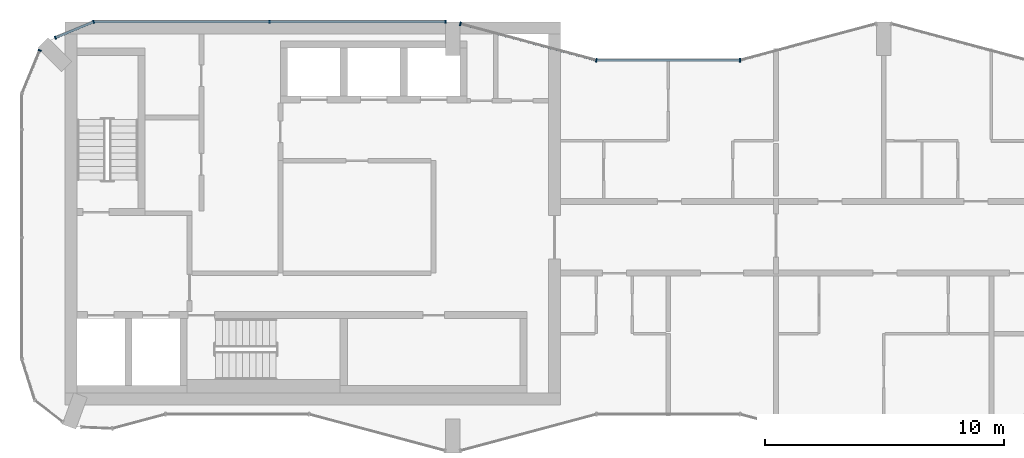
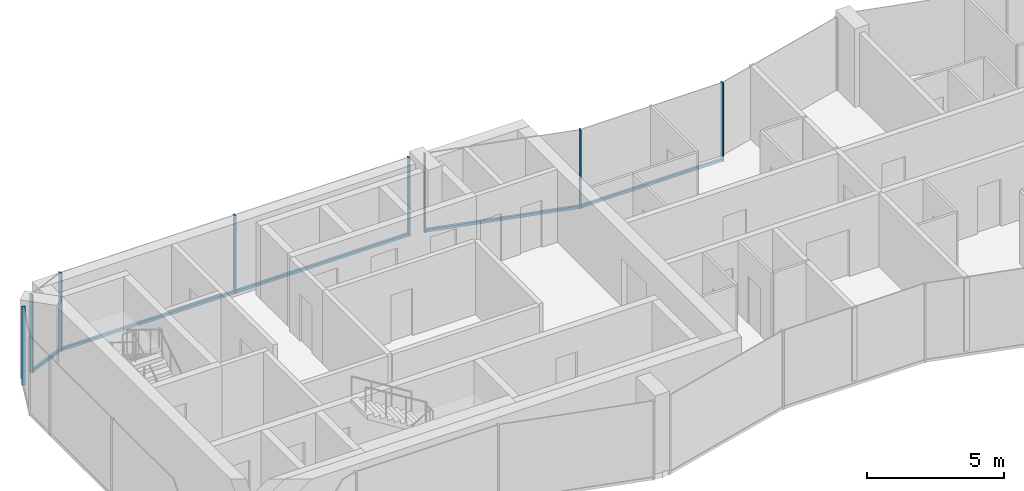
# One storey, part 4 of 10: 12 members, 5 elements without a shape of their own.
"""IFC4 building model written with IfcOpenShell, lengths in metres."""

import ifcopenshell
import ifcopenshell.guid

model = None  # the IFC model being written
_history = None  # IfcOwnerHistory: only IFC2X3 demands one
_inside = {}  # id of a spatial element -> (the spatial element, [elements in it])
_under = {}  # id of a project, library or spatial element -> (it, [spatial elements below it])
_declared = {}  # id of a project -> (the project, [libraries it declares])
_typed = {}  # id of a type object -> (the type object, [elements of that type])
_made_of = {}  # id of a material, layer set ... -> (it, [elements and type objects made of it])


def new_model(schema):
    """Start an empty IFC model of exactly this schema.

    Asked for "IFC4X3", IfcOpenShell would pick the latest addendum, in which some entities
    have other attributes; the version numbers below select the first issue.
    IFC2X3 requires an IfcOwnerHistory on every rooted entity: one is made here for all.
    """
    global model, _history
    if schema == "IFC4X3":
        model = ifcopenshell.file(schema_version=(4, 3, 0, 0))
    else:
        model = ifcopenshell.file(schema=schema)
    _inside.clear()
    _under.clear()
    _declared.clear()
    _typed.clear()
    _made_of.clear()
    _history = None
    if model.schema == "IFC2X3":
        org = make("IfcOrganization", Name="unknown")
        user = make(
            "IfcPersonAndOrganization",
            ThePerson=make("IfcPerson", FamilyName="unknown"),
            TheOrganization=org,
        )
        app = make(
            "IfcApplication",
            ApplicationDeveloper=org,
            Version="unknown",
            ApplicationFullName="unknown",
            ApplicationIdentifier="unknown",
        )
        _history = make(
            "IfcOwnerHistory",
            OwningUser=user,
            OwningApplication=app,
            ChangeAction="ADDED",
            CreationDate=0,
        )
    return model


def make(cls, **values):
    """One entity of the class cls with the attributes given. An attribute that is None is left unset."""
    return model.create_entity(
        cls, **{name: value for name, value in values.items() if value is not None}
    )


def rooted(cls, **values):
    """An entity with a GlobalId (a new one), such as an element, a storey or a relation."""
    return make(cls, GlobalId=ifcopenshell.guid.new(), OwnerHistory=_history, **values)


def si_unit(unit_type, name, prefix=None):
    """IfcSIUnit, for example si_unit("LENGTHUNIT", "METRE", prefix="MILLI")."""
    return make("IfcSIUnit", UnitType=unit_type, Prefix=prefix, Name=name)


def assignment(units):
    """IfcUnitAssignment: the units of a project."""
    return None if units is None else make("IfcUnitAssignment", Units=units)


def point(xyz):
    """IfcCartesianPoint."""
    return None if xyz is None else make("IfcCartesianPoint", Coordinates=xyz)


def direction(xyz):
    """IfcDirection."""
    return None if xyz is None else make("IfcDirection", DirectionRatios=xyz)


def frame(location, z_axis=None, x_axis=None):
    """IfcAxis2Placement3D, a coordinate frame: its origin and axes. An axis left out is left unset."""
    return make(
        "IfcAxis2Placement3D",
        Location=point(location),
        Axis=direction(z_axis),
        RefDirection=direction(x_axis),
    )


def frame_2d(location, x_axis=None):
    """IfcAxis2Placement2D, a coordinate frame in the plane: its origin and x axis."""
    return make(
        "IfcAxis2Placement2D", Location=point(location), RefDirection=direction(x_axis)
    )


def origin():
    """The frame at (0, 0, 0) with its axes left unset."""
    return frame((0.0, 0.0, 0.0))


def origin_2d():
    """The frame at (0, 0) in the plane with its x axis left unset."""
    return frame_2d((0.0, 0.0))


def place(relative_to, where):
    """IfcLocalPlacement: puts the frame where relative to a parent placement (None: the world)."""
    return make(
        "IfcLocalPlacement", PlacementRelTo=relative_to, RelativePlacement=where
    )


def context(
    kind, dimensions, precision=None, world=None, true_north=None, identifier=None
):
    """IfcGeometricRepresentationContext, for example the 3D "Model" context."""
    return make(
        "IfcGeometricRepresentationContext",
        ContextIdentifier=identifier,
        ContextType=kind,
        CoordinateSpaceDimension=dimensions,
        Precision=precision,
        WorldCoordinateSystem=world,
        TrueNorth=true_north,
    )


def subcontext(parent, identifier, kind, view, scale=None):
    """IfcGeometricRepresentationSubContext, for example "Body" below "Model"."""
    return make(
        "IfcGeometricRepresentationSubContext",
        ContextIdentifier=identifier,
        ContextType=kind,
        ParentContext=parent,
        TargetScale=scale,
        TargetView=view,
    )


def project(units=None, contexts=None):
    """IfcProject with its units and contexts."""
    return rooted(
        "IfcProject",
        Name="project",
        RepresentationContexts=contexts,
        UnitsInContext=assignment(units),
    )


def spatial(cls, under=None, at=None, **own):
    """A site, building, storey or space (cls), placed at a placement, below another one or the project."""
    s = rooted(cls, ObjectPlacement=at, **own)
    if under is not None:
        _under.setdefault(under.id(), (under, []))[1].append(s)
    return s


def profile(cls, at=None, kind="AREA", **sizes):
    """A parametric profile (cls). Its sizes go by their IFC names, for example OverallWidth=200.0."""
    return make(cls, ProfileType=kind, Position=at, **sizes)


def rectangle(**sizes):
    """IfcRectangleProfileDef."""
    return profile("IfcRectangleProfileDef", **sizes)


def extrude(swept, where, along, depth):
    """IfcExtrudedAreaSolid: the profile swept, set in the frame where, extruded along a direction by depth."""
    return make(
        "IfcExtrudedAreaSolid",
        SweptArea=swept,
        Position=where,
        ExtrudedDirection=direction(along),
        Depth=depth,
    )


def shape(context_of_items, identifier, shape_type, items):
    """IfcShapeRepresentation: the items that make up one representation, for example the "Body"."""
    return make(
        "IfcShapeRepresentation",
        ContextOfItems=context_of_items,
        RepresentationIdentifier=identifier,
        RepresentationType=shape_type,
        Items=items,
    )


def material(Name=None, Category=None):
    """IfcMaterial."""
    return make("IfcMaterial", Name=Name, Category=Category)


def layer(
    of_material, thickness, ventilated=None, Name=None, Category=None, Priority=None
):
    """IfcMaterialLayer: one layer of a wall or slab, of a material (None: an air gap)."""
    return make(
        "IfcMaterialLayer",
        Material=of_material,
        LayerThickness=thickness,
        IsVentilated=ventilated,
        Name=Name,
        Category=Category,
        Priority=Priority,
    )


def layer_set(layers, Name=None):
    """IfcMaterialLayerSet."""
    return make("IfcMaterialLayerSet", MaterialLayers=layers, LayerSetName=Name)


def material_profile(
    of_material, cross_section, Name=None, Category=None, Priority=None
):
    """IfcMaterialProfile: a cross section and its material."""
    return make(
        "IfcMaterialProfile",
        Name=Name,
        Material=of_material,
        Profile=cross_section,
        Priority=Priority,
        Category=Category,
    )


def profile_set(profiles, Name=None, composite=None):
    """IfcMaterialProfileSet."""
    return make(
        "IfcMaterialProfileSet",
        Name=Name,
        MaterialProfiles=profiles,
        CompositeProfile=composite,
    )


def made_of(thing, what):
    """Note that an element or type object is made of a material, layer set ...; save() writes the relation."""
    if what is not None:
        _made_of.setdefault(what.id(), (what, []))[1].append(thing)
    return thing


def type_object(cls, material=None, **own):
    """A type object (cls), such as IfcWallType, which elements share."""
    return made_of(rooted(cls, **own), material)


def element(
    cls,
    number,
    at=None,
    inside=None,
    cuts=None,
    type_object=None,
    material=None,
    context=None,
    identifier="Body",
    shape_type=None,
    held_by="IfcProductDefinitionShape",
    body=None,
    shapes=None,
    **own,
):
    """One element of the class cls, such as IfcWall. Its Tag is "e" and its number.

    at: its placement. inside: the storey or other place that contains it. cuts: it is an
    opening in that element (IfcRelVoidsElement). A single representation is given by context,
    identifier, shape_type and body (its items); several are given by shapes. held_by: the class
    of the entity that holds the representations. save() writes the other relations.
    """
    e = rooted(cls, Tag="e%d" % number, ObjectPlacement=at, **own)
    if body is not None:
        shapes = [shape(context, identifier, shape_type, body)]
    if shapes is not None:
        e.Representation = make(held_by, Representations=shapes)
    if inside is not None:
        _inside.setdefault(inside.id(), (inside, []))[1].append(e)
    if cuts is not None:
        rooted(
            "IfcRelVoidsElement", RelatingBuildingElement=cuts, RelatedOpeningElement=e
        )
    if type_object is not None:
        _typed.setdefault(type_object.id(), (type_object, []))[1].append(e)
    return made_of(e, material)


def aggregate(whole, parts):
    """IfcRelAggregates: a whole, such as a stair, and the parts it consists of."""
    return rooted("IfcRelAggregates", RelatingObject=whole, RelatedObjects=parts)


def save(model, path):
    """Write the relations noted so far, then the file.

    IfcRelAggregates (storeys below a building ...), IfcRelContainedInSpatialStructure (elements
    in a storey), IfcRelDefinesByType, IfcRelAssociatesMaterial and IfcRelDeclares: one each for
    every whole, place, type object, material and project.
    """
    for whole, parts in _under.values():
        aggregate(whole, parts)
    for where, things in _inside.values():
        rooted(
            "IfcRelContainedInSpatialStructure",
            RelatedElements=things,
            RelatingStructure=where,
        )
    for kind, things in _typed.values():
        rooted("IfcRelDefinesByType", RelatedObjects=things, RelatingType=kind)
    for what, things in _made_of.values():
        rooted("IfcRelAssociatesMaterial", RelatedObjects=things, RelatingMaterial=what)
    for by, libraries in _declared.values():
        rooted("IfcRelDeclares", RelatingContext=by, RelatedDefinitions=libraries)
    model.write(path)


model = new_model("IFC4")

# Units and contexts
model_context = context("Model", 3, precision=1e-05, world=origin(), true_north=direction((0.0, 1.0)))
body_context = subcontext(model_context, "Body", "Model", "MODEL_VIEW")
ifc_project = project(units=[si_unit("LENGTHUNIT", "METRE"), si_unit("AREAUNIT", "SQUARE_METRE"), si_unit("VOLUMEUNIT", "CUBIC_METRE"), si_unit("PLANEANGLEUNIT", "RADIAN"), si_unit("MASSUNIT", "GRAM", prefix="KILO")], contexts=[model_context])

# Site, building, storey
site_placement = place(None, origin())
site = spatial("IfcSite", under=ifc_project, at=site_placement, CompositionType="ELEMENT")
building_placement = place(site_placement, origin())
building = spatial("IfcBuilding", under=site, at=building_placement, Name="Plateau Cross Towers", CompositionType="ELEMENT")
storey_placement = place(building_placement, frame((0.0, 0.0, 249.39990234375)))
storey = spatial("IfcBuildingStorey", under=building, at=storey_placement, Name="L65", CompositionType="ELEMENT", Elevation=249.39990234375)

# Curtain wall, members
ifc_material_1 = material(Name="Dark low-iron glass", Category="glass")
ifc_layer_1 = layer(ifc_material_1, 0.239990234375)
ifc_layer_set_1 = layer_set([ifc_layer_1], Name="Dark low-iron glass")
curtain_wall_type_1 = type_object("IfcCurtainWallType", Name="Curtain wall flush unitised CW-B", PredefinedType="NOTDEFINED", material=ifc_layer_set_1)
curtain_wall_1_placement = place(storey_placement, origin())
curtain_wall_1 = element("IfcCurtainWall", 1, at=curtain_wall_1_placement, inside=storey, type_object=curtain_wall_type_1, Name="ENV/A/L65/A177_180", PredefinedType="NOTDEFINED")
ifc_material_2 = material(Name="Black anodised aluminium", Category="aluminium")
ifc_material_profile_1 = material_profile(ifc_material_2, rectangle(XDim=0.06005859375, YDim=0.139892578125, at=origin_2d()), Name="MULLION 60x140")
ifc_profile_set_1 = profile_set([ifc_material_profile_1], Name="Black anodised aluminium")
member_type_1 = type_object("IfcMemberType", Name="Mullion 60x140 flush unitised", PredefinedType="MULLION", material=ifc_profile_set_1)
member_1_placement = place(storey_placement, frame((17.699951171875, 18.0, -0.25), z_axis=(0.0, 0.0, 1.0), x_axis=(-1.0, 0.0, 0.0)))
member_1 = element("IfcMember", 2, at=member_1_placement, type_object=member_type_1, Name="CW-B mullion 1", PredefinedType="MULLION", context=body_context, shape_type="SweptSolid", body=[
    extrude(rectangle(XDim=0.06005859375, YDim=0.139892578125, at=origin_2d()), origin(), (0.0, 0.0, 1.0), 3.5),
])
member_2_placement = place(storey_placement, frame((10.35009765625, 18.0, -0.25), z_axis=(0.0, 0.0, 1.0), x_axis=(-1.0, 0.0, 0.0)))
member_2 = element("IfcMember", 3, at=member_2_placement, type_object=member_type_1, Name="CW-B mullion 2", PredefinedType="MULLION", context=body_context, shape_type="SweptSolid", body=[
    extrude(rectangle(XDim=0.06005859375, YDim=0.139892578125, at=origin_2d()), origin(), (0.0, 0.0, 1.0), 3.5),
])

curtain_wall_2_placement = place(storey_placement, origin())
curtain_wall_2 = element("IfcCurtainWall", 4, at=curtain_wall_2_placement, inside=storey, type_object=curtain_wall_type_1, Name="ENV/A/L65/A30_180", PredefinedType="NOTDEFINED")
member_3_placement = place(storey_placement, frame((3.0, 18.0, -0.25), z_axis=(0.0, 0.0, 1.0), x_axis=(-0.923879457699, -0.382683612978, 0.0)))
member_3 = element("IfcMember", 5, at=member_3_placement, type_object=member_type_1, Name="CW-B mullion 1", PredefinedType="MULLION", context=body_context, shape_type="SweptSolid", body=[
    extrude(rectangle(XDim=0.06005859375, YDim=0.139892578125, at=origin_2d()), origin(), (0.0, 0.0, 1.0), 3.5),
])
member_4_placement = place(storey_placement, frame((1.4033203125, 17.338623046875, -0.25), z_axis=(0.0, 0.0, 1.0), x_axis=(-0.923879457699, -0.382683612978, 0.0)))
member_4 = element("IfcMember", 6, at=member_4_placement, type_object=member_type_1, Name="CW-B mullion 2", PredefinedType="MULLION", context=body_context, shape_type="SweptSolid", body=[
    extrude(rectangle(XDim=0.06005859375, YDim=0.139892578125, at=origin_2d()), origin(), (0.0, 0.0, 1.0), 3.5),
])

# Curtain wall, member
curtain_wall_3_placement = place(storey_placement, origin())
curtain_wall_3 = element("IfcCurtainWall", 7, at=curtain_wall_3_placement, inside=storey, type_object=curtain_wall_type_1, Name="ENV/A/L65/A7_168", PredefinedType="NOTDEFINED")
member_5_placement = place(storey_placement, frame((0.748046875, 16.805908203125, -0.25), z_axis=(0.0, 0.0, 1.0), x_axis=(-0.382683612978, -0.923879457699, 0.0)))
member_5 = element("IfcMember", 8, at=member_5_placement, type_object=member_type_1, Name="CW-B mullion 1", PredefinedType="MULLION", context=body_context, shape_type="SweptSolid", body=[
    extrude(rectangle(XDim=0.06005859375, YDim=0.139892578125, at=origin_2d()), origin(), (0.0, 0.0, 1.0), 3.5),
])
aggregate(curtain_wall_3, [member_5])

ifc_layer_2 = layer(ifc_material_1, 0.260009765625)
ifc_layer_set_2 = layer_set([ifc_layer_2], Name="Dark low-iron glass")
curtain_wall_type_2 = type_object("IfcCurtainWallType", Name="Curtain wall fluted unitised CW-A", PredefinedType="NOTDEFINED", material=ifc_layer_set_2)
curtain_wall_4_placement = place(storey_placement, origin())
curtain_wall_4 = element("IfcCurtainWall", 9, at=curtain_wall_4_placement, inside=storey, type_object=curtain_wall_type_2, Name="ENV/A/L65/A300_164", PredefinedType="NOTDEFINED")
ifc_material_profile_2 = material_profile(ifc_material_2, rectangle(XDim=0.06005859375, YDim=0.159912109375, at=origin_2d()), Name="MULLION 60x160")
ifc_profile_set_2 = profile_set([ifc_material_profile_2], Name="Black anodised aluminium")
member_type_2 = type_object("IfcMemberType", Name="Mullion 60x160 fluted unitised", PredefinedType="MULLION", material=ifc_profile_set_2)
member_6_placement = place(storey_placement, frame((30.0, 16.39306640625, -0.25), z_axis=(0.0, 0.0, 1.0), x_axis=(-1.0, 0.0, 0.0)))
member_6 = element("IfcMember", 10, at=member_6_placement, type_object=member_type_2, Name="CW-A mullion 1", PredefinedType="MULLION", context=body_context, shape_type="SweptSolid", body=[
    extrude(rectangle(XDim=0.06005859375, YDim=0.159912109375, at=origin_2d()), origin(), (0.0, 0.0, 1.0), 3.5),
])

# Curtain wall, members
curtain_wall_5_placement = place(storey_placement, origin())
curtain_wall_5 = element("IfcCurtainWall", 11, at=curtain_wall_5_placement, inside=storey, type_object=curtain_wall_type_2, Name="ENV/A/L65/A240_164", PredefinedType="NOTDEFINED")
member_7_placement = place(storey_placement, frame((24.0, 16.39306640625, -0.25), z_axis=(0.0, 0.0, 1.0), x_axis=(-0.965957983404, 0.258699003279, 0.0)))
member_7 = element("IfcMember", 12, at=member_7_placement, type_object=member_type_2, Name="CW-A mullion 1", PredefinedType="MULLION", context=body_context, shape_type="SweptSolid", body=[
    extrude(rectangle(XDim=0.06005859375, YDim=0.159912109375, at=origin_2d()), origin(), (0.0, 0.0, 1.0), 3.5),
])
member_8_placement = place(storey_placement, frame((18.31787109375, 17.914794921875, -0.25), z_axis=(0.0, 0.0, 1.0), x_axis=(-0.965957983404, 0.258699003279, 0.0)))
member_8 = element("IfcMember", 13, at=member_8_placement, type_object=member_type_2, Name="CW-A mullion 2", PredefinedType="MULLION", context=body_context, shape_type="SweptSolid", body=[
    extrude(rectangle(XDim=0.06005859375, YDim=0.159912109375, at=origin_2d()), origin(), (0.0, 0.0, 1.0), 3.5),
])

# Member
ifc_material_profile_3 = material_profile(ifc_material_2, rectangle(XDim=0.10009765625, YDim=0.1201171875, at=origin_2d()), Name="TRANSOM 100x120")
ifc_profile_set_3 = profile_set([ifc_material_profile_3], Name="Black anodised aluminium")
member_type_3 = type_object("IfcMemberType", Name="Transom 100x120 flush unitised", PredefinedType="USERDEFINED", material=ifc_profile_set_3)
member_9_placement = place(storey_placement, frame((17.699951171875, 18.0, -0.18994140625), z_axis=(-1.0, 0.0, 0.0), x_axis=(0.0, -1.0, 0.0)))
member_9 = element("IfcMember", 14, at=member_9_placement, type_object=member_type_3, Name="CW-B transom", ObjectType="TRANSOM", PredefinedType="USERDEFINED", context=body_context, shape_type="SweptSolid", body=[
    extrude(rectangle(XDim=0.10009765625, YDim=0.1201171875, at=origin_2d()), origin(), (0.0, 0.0, 1.0), 14.699951171875),
])

aggregate(curtain_wall_1, [member_1, member_2, member_9])

member_10_placement = place(storey_placement, frame((3.0, 18.0, -0.18994140625), z_axis=(-0.923877369776, -0.382688653628, 0.0), x_axis=(0.382688653628, -0.923877369776, 0.0)))
member_10 = element("IfcMember", 15, at=member_10_placement, type_object=member_type_3, Name="CW-B transom", ObjectType="TRANSOM", PredefinedType="USERDEFINED", context=body_context, shape_type="SweptSolid", body=[
    extrude(rectangle(XDim=0.10009765625, YDim=0.1201171875, at=origin_2d()), origin(), (0.0, 0.0, 1.0), 1.728271484375),
])

aggregate(curtain_wall_2, [member_3, member_4, member_10])

ifc_material_profile_4 = material_profile(ifc_material_2, rectangle(XDim=0.10009765625, YDim=0.1201171875, at=origin_2d()), Name="TRANSOM 100x120")
ifc_profile_set_4 = profile_set([ifc_material_profile_4], Name="Black anodised aluminium")
member_type_4 = type_object("IfcMemberType", Name="Transom 100x120 fluted unitised", PredefinedType="USERDEFINED", material=ifc_profile_set_4)
member_11_placement = place(storey_placement, frame((30.0, 16.39306640625, -0.18994140625), z_axis=(-1.0, 0.0, 0.0), x_axis=(0.0, -1.0, 0.0)))
member_11 = element("IfcMember", 16, at=member_11_placement, type_object=member_type_4, Name="CW-A transom", ObjectType="TRANSOM", PredefinedType="USERDEFINED", context=body_context, shape_type="SweptSolid", body=[
    extrude(rectangle(XDim=0.10009765625, YDim=0.1201171875, at=origin_2d()), origin(), (0.0, 0.0, 1.0), 6.0),
])

aggregate(curtain_wall_4, [member_6, member_11])

member_12_placement = place(storey_placement, frame((24.0, 16.39306640625, -0.18994140625), z_axis=(-0.965959534794, 0.258693210465, 0.0), x_axis=(-0.258693210465, -0.965959534794, 0.0)))
member_12 = element("IfcMember", 17, at=member_12_placement, type_object=member_type_4, Name="CW-A transom", ObjectType="TRANSOM", PredefinedType="USERDEFINED", context=body_context, shape_type="SweptSolid", body=[
    extrude(rectangle(XDim=0.10009765625, YDim=0.1201171875, at=origin_2d()), origin(), (0.0, 0.0, 1.0), 5.88232421875),
])

aggregate(curtain_wall_5, [member_7, member_8, member_12])

save(model, "model.ifc")
